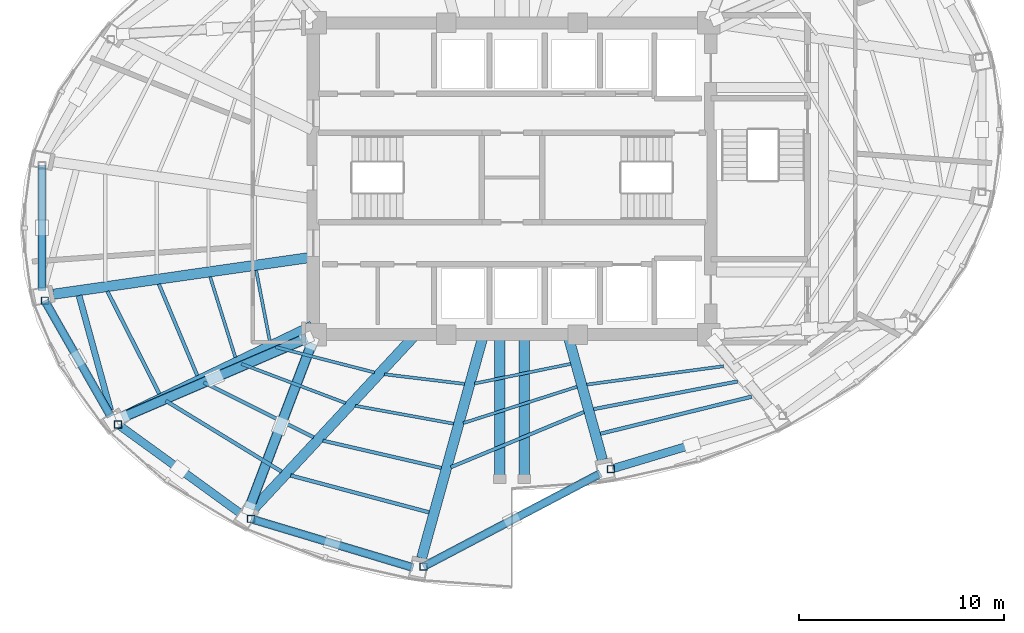
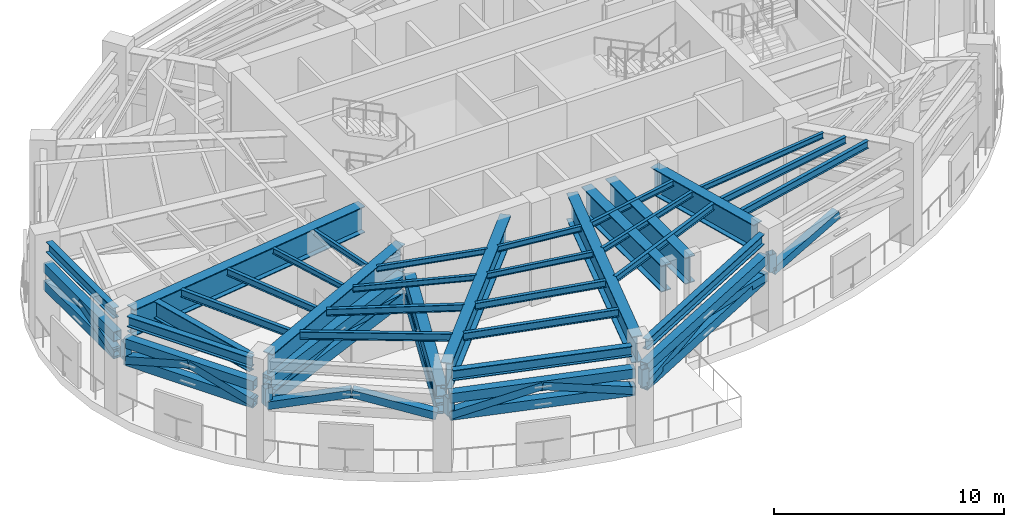
# One storey, part 2 of 12: 31 members, 30 beams.
"""IFC4 building model written with IfcOpenShell, lengths in metres."""

from ifc_helpers import new_model, si_unit, direction, frame, origin, origin_2d, place, context, subcontext, project, spatial, hollow_rectangle, i_section, extrude, material, material_profile, profile_set, type_object, element, save


model = new_model("IFC4")

# Units and contexts
model_context = context("Model", 3, precision=1e-05, world=origin(), true_north=direction((0.0, 1.0)))
body_context = subcontext(model_context, "Body", "Model", "MODEL_VIEW")
ifc_project = project(units=[si_unit("LENGTHUNIT", "METRE"), si_unit("AREAUNIT", "SQUARE_METRE"), si_unit("VOLUMEUNIT", "CUBIC_METRE"), si_unit("PLANEANGLEUNIT", "RADIAN"), si_unit("MASSUNIT", "GRAM", prefix="KILO")], contexts=[model_context])

# Site, building, storey
site_placement = place(None, origin())
site = spatial("IfcSite", under=ifc_project, at=site_placement, CompositionType="ELEMENT")
building_placement = place(site_placement, origin())
building = spatial("IfcBuilding", under=site, at=building_placement, Name="Lazwardi Medical Tower", CompositionType="ELEMENT")
storey_placement = place(building_placement, frame((0.0, 0.0, 189.360107421875)))
storey = spatial("IfcBuildingStorey", under=building, at=storey_placement, Name="L49", CompositionType="ELEMENT", Elevation=189.360107421875)

# Beams
ifc_material_1 = material(Name="Steel S460", Category="steel")
ifc_material_profile_1 = material_profile(ifc_material_1, i_section(OverallWidth=0.300048828125, OverallDepth=0.89990234375, WebThickness=0.0185546875, FlangeThickness=0.034912109375, at=origin_2d()), Name="HEB 900")
ifc_profile_set_1 = profile_set([ifc_material_profile_1], Name="Steel S460")
beam_type_1 = type_object("IfcBeamType", Name="BM-HB-01", PredefinedType="BEAM", material=ifc_profile_set_1)
beam_1_placement = place(storey_placement, frame((14.8798828125, 22.30078125, 4.57177734375), z_axis=(0.264908898888, -0.964273444252, 0.0), x_axis=(0.964273444252, 0.264908898888, 0.0)))
element("IfcBeam", 1, at=beam_1_placement, inside=storey, type_object=beam_type_1, Name="Transfer girder tie HB-01 M13 L49", PredefinedType="BEAM", context=body_context, shape_type="SweptSolid", body=[
    extrude(i_section(OverallWidth=0.300048828125, OverallDepth=0.89990234375, WebThickness=0.0185546875, FlangeThickness=0.034912109375, at=origin_2d()), origin(), (0.0, 0.0, 1.0), 5.798828125),
])
ifc_material_2 = material(Name="Steel S355", Category="steel")
ifc_material_profile_2 = material_profile(ifc_material_2, i_section(OverallWidth=0.300048828125, OverallDepth=0.550048828125, WebThickness=0.014892578125, FlangeThickness=0.029052734375, at=origin_2d()), Name="HEB 550")
ifc_profile_set_2 = profile_set([ifc_material_profile_2], Name="Steel S355")
beam_type_2 = type_object("IfcBeamType", Name="BM-RB-Z3", PredefinedType="BEAM", material=ifc_profile_set_2)
beam_2_placement = place(storey_placement, frame((13.07421875, 28.51171875, 4.746826171875), z_axis=(0.0, -1.0, 0.0), x_axis=(1.0, 0.0, 0.0)))
element("IfcBeam", 2, at=beam_2_placement, inside=storey, type_object=beam_type_2, Name="Ring beam RB-04 B12 L49", PredefinedType="BEAM", context=body_context, shape_type="SweptSolid", body=[
    extrude(i_section(OverallWidth=0.300048828125, OverallDepth=0.550048828125, WebThickness=0.014892578125, FlangeThickness=0.029052734375, at=origin_2d()), origin(), (0.0, 0.0, 1.0), 5.823486328125),
])
beam_3_placement = place(storey_placement, frame((13.272216796875, 21.94091796875, 4.746826171875), z_axis=(0.495460926326, -0.868630226554, 0.0), x_axis=(0.868630226554, 0.495460926326, 0.0)))
element("IfcBeam", 3, at=beam_3_placement, inside=storey, type_object=beam_type_2, Name="Ring beam RB-04 B13 L49", PredefinedType="BEAM", context=body_context, shape_type="SweptSolid", body=[
    extrude(i_section(OverallWidth=0.300048828125, OverallDepth=0.550048828125, WebThickness=0.014892578125, FlangeThickness=0.029052734375, at=origin_2d()), origin(), (0.0, 0.0, 1.0), 6.24462890625),
])
beam_4_placement = place(storey_placement, frame((23.396484375, 11.37060546875, 4.746826171875), z_axis=(0.957616873483, -0.288045002771, 0.0), x_axis=(0.288045002771, 0.957616873483, 0.0)))
element("IfcBeam", 4, at=beam_4_placement, inside=storey, type_object=beam_type_2, Name="Ring beam RB-04 B15 L49", PredefinedType="BEAM", context=body_context, shape_type="SweptSolid", body=[
    extrude(i_section(OverallWidth=0.300048828125, OverallDepth=0.550048828125, WebThickness=0.014892578125, FlangeThickness=0.029052734375, at=origin_2d()), origin(), (0.0, 0.0, 1.0), 7.99951171875),
])
beam_5_placement = place(storey_placement, frame((31.793701171875, 9.137451171875, 4.746826171875), z_axis=(0.884926578414, 0.465730556026, 0.0), x_axis=(-0.465730556026, 0.884926578414, 0.0)))
element("IfcBeam", 5, at=beam_5_placement, inside=storey, type_object=beam_type_2, Name="Ring beam RB-04 B16 L49", PredefinedType="BEAM", context=body_context, shape_type="SweptSolid", body=[
    extrude(i_section(OverallWidth=0.300048828125, OverallDepth=0.550048828125, WebThickness=0.014892578125, FlangeThickness=0.029052734375, at=origin_2d()), origin(), (0.0, 0.0, 1.0), 9.506591796875),
])
ifc_material_profile_3 = material_profile(ifc_material_2, i_section(OverallWidth=0.179931640625, OverallDepth=0.39990234375, WebThickness=0.008544921875, FlangeThickness=0.013427734375, at=origin_2d()), Name="IPE 400")
ifc_profile_set_3 = profile_set([ifc_material_profile_3], Name="Steel S355")
beam_type_3 = type_object("IfcBeamType", Name="BM-SJ-01", PredefinedType="JOIST", material=ifc_profile_set_3)
beam_6_placement = place(storey_placement, frame((40.313232421875, 15.56103515625, 4.82177734375), z_axis=(0.971251959151, 0.238053842325, 0.0), x_axis=(-0.238053842325, 0.971251959151, 0.0)))
element("IfcBeam", 6, at=beam_6_placement, inside=storey, type_object=beam_type_3, Name="Secondary joist SJ-01 R1 B01 L49", PredefinedType="JOIST", context=body_context, shape_type="SweptSolid", body=[
    extrude(i_section(OverallWidth=0.179931640625, OverallDepth=0.39990234375, WebThickness=0.008544921875, FlangeThickness=0.013427734375, at=origin_2d()), origin(), (0.0, 0.0, 1.0), 7.59228515625),
])
beam_7_placement = place(storey_placement, frame((16.263427734375, 22.509765625, 4.82177734375), z_axis=(0.451808992134, -0.892114698134, 0.0), x_axis=(0.892114698134, 0.451808992134, 0.0)))
element("IfcBeam", 7, at=beam_7_placement, inside=storey, type_object=beam_type_3, Name="Secondary joist SJ-01 R1 B13 L49", PredefinedType="JOIST", context=body_context, shape_type="SweptSolid", body=[
    extrude(i_section(OverallWidth=0.179931640625, OverallDepth=0.39990234375, WebThickness=0.008544921875, FlangeThickness=0.013427734375, at=origin_2d()), origin(), (0.0, 0.0, 1.0), 5.60302734375),
])
beam_8_placement = place(storey_placement, frame((19.114501953125, 17.164794921875, 4.82177734375), z_axis=(0.853204282471, -0.521576890184, 0.0), x_axis=(0.521576890184, 0.853204282471, 0.0)))
element("IfcBeam", 8, at=beam_8_placement, inside=storey, type_object=beam_type_3, Name="Secondary joist SJ-01 R1 B14 L49", PredefinedType="JOIST", context=body_context, shape_type="SweptSolid", body=[
    extrude(i_section(OverallWidth=0.179931640625, OverallDepth=0.39990234375, WebThickness=0.008544921875, FlangeThickness=0.013427734375, at=origin_2d()), origin(), (0.0, 0.0, 1.0), 6.615478515625),
])
beam_9_placement = place(storey_placement, frame((25.20458984375, 13.523681640625, 4.82177734375), z_axis=(0.966302206326, -0.257410267956, 0.0), x_axis=(0.257410267956, 0.966302206326, 0.0)))
element("IfcBeam", 9, at=beam_9_placement, inside=storey, type_object=beam_type_3, Name="Secondary joist SJ-01 R1 B15 L49", PredefinedType="JOIST", context=body_context, shape_type="SweptSolid", body=[
    extrude(i_section(OverallWidth=0.179931640625, OverallDepth=0.39990234375, WebThickness=0.008544921875, FlangeThickness=0.013427734375, at=origin_2d()), origin(), (0.0, 0.0, 1.0), 6.984375),
])
ifc_material_profile_4 = material_profile(ifc_material_2, i_section(OverallWidth=0.169921875, OverallDepth=0.360107421875, WebThickness=0.008056640625, FlangeThickness=0.0126953125, at=origin_2d()), Name="IPE 360")
ifc_profile_set_4 = profile_set([ifc_material_profile_4], Name="Steel S355")
beam_type_4 = type_object("IfcBeamType", Name="BM-SJ-02", PredefinedType="JOIST", material=ifc_profile_set_4)
beam_10_placement = place(storey_placement, frame((39.98046875, 16.7607421875, 4.841796875), z_axis=(0.98201837426, 0.188785361233, 0.0), x_axis=(-0.188785361233, 0.98201837426, 0.0)))
element("IfcBeam", 10, at=beam_10_placement, inside=storey, type_object=beam_type_4, Name="Secondary joist SJ-02 R2 B01 L49", PredefinedType="JOIST", context=body_context, shape_type="SweptSolid", body=[
    extrude(i_section(OverallWidth=0.169921875, OverallDepth=0.360107421875, WebThickness=0.008056640625, FlangeThickness=0.0126953125, at=origin_2d()), origin(), (0.0, 0.0, 1.0), 7.15283203125),
])
beam_11_placement = place(storey_placement, frame((18.77197265625, 22.863037109375, 4.841796875), z_axis=(0.387256490624, -0.921972022607, 0.0), x_axis=(0.921972022607, 0.387256490624, 0.0)))
element("IfcBeam", 11, at=beam_11_placement, inside=storey, type_object=beam_type_4, Name="Secondary joist SJ-02 R2 B13 L49", PredefinedType="JOIST", context=body_context, shape_type="SweptSolid", body=[
    extrude(i_section(OverallWidth=0.169921875, OverallDepth=0.360107421875, WebThickness=0.008056640625, FlangeThickness=0.0126953125, at=origin_2d()), origin(), (0.0, 0.0, 1.0), 4.841064453125),
])
beam_12_placement = place(storey_placement, frame((20.960693359375, 18.064453125, 4.841796875), z_axis=(0.894630803027, -0.446806139478, 0.0), x_axis=(0.446806139478, 0.894630803027, 0.0)))
element("IfcBeam", 12, at=beam_12_placement, inside=storey, type_object=beam_type_4, Name="Secondary joist SJ-02 R2 B14 L49", PredefinedType="JOIST", context=body_context, shape_type="SweptSolid", body=[
    extrude(i_section(OverallWidth=0.169921875, OverallDepth=0.360107421875, WebThickness=0.008056640625, FlangeThickness=0.0126953125, at=origin_2d()), origin(), (0.0, 0.0, 1.0), 5.992431640625),
])
beam_13_placement = place(storey_placement, frame((26.779541015625, 15.222412109375, 4.841796875), z_axis=(0.974375221178, -0.224928718387, 0.0), x_axis=(0.224928718387, 0.974375221178, 0.0)))
element("IfcBeam", 13, at=beam_13_placement, inside=storey, type_object=beam_type_4, Name="Secondary joist SJ-02 R2 B15 L49", PredefinedType="JOIST", context=body_context, shape_type="SweptSolid", body=[
    extrude(i_section(OverallWidth=0.169921875, OverallDepth=0.360107421875, WebThickness=0.008056640625, FlangeThickness=0.0126953125, at=origin_2d()), origin(), (0.0, 0.0, 1.0), 5.92529296875),
])
beam_14_placement = place(storey_placement, frame((33.01806640625, 13.928466796875, 4.841796875), z_axis=(0.923795439978, 0.382886386643, 0.0), x_axis=(-0.382886386643, 0.923795439978, 0.0)))
element("IfcBeam", 14, at=beam_14_placement, inside=storey, type_object=beam_type_4, Name="Secondary joist SJ-02 R2 B16 L49", PredefinedType="JOIST", context=body_context, shape_type="SweptSolid", body=[
    extrude(i_section(OverallWidth=0.169921875, OverallDepth=0.360107421875, WebThickness=0.008056640625, FlangeThickness=0.0126953125, at=origin_2d()), origin(), (0.0, 0.0, 1.0), 7.03125),
])
ifc_material_profile_5 = material_profile(ifc_material_2, i_section(OverallWidth=0.14990234375, OverallDepth=0.300048828125, WebThickness=0.007080078125, FlangeThickness=0.0107421875, at=origin_2d()), Name="IPE 300")
ifc_profile_set_5 = profile_set([ifc_material_profile_5], Name="Steel S355")
beam_type_5 = type_object("IfcBeamType", Name="BM-SJ-03", PredefinedType="JOIST", material=ifc_profile_set_5)
beam_15_placement = place(storey_placement, frame((39.647216796875, 17.958984375, 4.871826171875), z_axis=(0.991097306828, 0.133139507277, 0.0), x_axis=(-0.133139507277, 0.991097306828, 0.0)))
element("IfcBeam", 15, at=beam_15_placement, inside=storey, type_object=beam_type_5, Name="Secondary joist SJ-03 R3 B01 L49", PredefinedType="JOIST", context=body_context, shape_type="SweptSolid", body=[
    extrude(i_section(OverallWidth=0.14990234375, OverallDepth=0.300048828125, WebThickness=0.007080078125, FlangeThickness=0.0107421875, at=origin_2d()), origin(), (0.0, 0.0, 1.0), 6.7353515625),
])
beam_16_placement = place(storey_placement, frame((21.274658203125, 23.216064453125, 4.871826171875), z_axis=(0.298822173671, -0.954308811927, 0.0), x_axis=(0.954308811927, 0.298822173671, 0.0)))
element("IfcBeam", 16, at=beam_16_placement, inside=storey, type_object=beam_type_5, Name="Secondary joist SJ-03 R3 B13 L49", PredefinedType="JOIST", context=body_context, shape_type="SweptSolid", body=[
    extrude(i_section(OverallWidth=0.14990234375, OverallDepth=0.300048828125, WebThickness=0.007080078125, FlangeThickness=0.0107421875, at=origin_2d()), origin(), (0.0, 0.0, 1.0), 4.115234375),
])
beam_17_placement = place(storey_placement, frame((22.806884765625, 18.968505859375, 4.871826171875), z_axis=(0.93573988947, -0.352690883429, 0.0), x_axis=(0.352690883429, 0.93573988947, 0.0)))
element("IfcBeam", 17, at=beam_17_placement, inside=storey, type_object=beam_type_5, Name="Secondary joist SJ-03 R3 B14 L49", PredefinedType="JOIST", context=body_context, shape_type="SweptSolid", body=[
    extrude(i_section(OverallWidth=0.14990234375, OverallDepth=0.300048828125, WebThickness=0.007080078125, FlangeThickness=0.0107421875, at=origin_2d()), origin(), (0.0, 0.0, 1.0), 5.42626953125),
])
beam_18_placement = place(storey_placement, frame((28.35498046875, 16.92431640625, 4.871826171875), z_axis=(0.98380254454, -0.179255553209, 0.0), x_axis=(0.179255553209, 0.98380254454, 0.0)))
element("IfcBeam", 18, at=beam_18_placement, inside=storey, type_object=beam_type_5, Name="Secondary joist SJ-03 R3 B15 L49", PredefinedType="JOIST", context=body_context, shape_type="SweptSolid", body=[
    extrude(i_section(OverallWidth=0.14990234375, OverallDepth=0.300048828125, WebThickness=0.007080078125, FlangeThickness=0.0107421875, at=origin_2d()), origin(), (0.0, 0.0, 1.0), 4.875732421875),
])
beam_19_placement = place(storey_placement, frame((33.62646484375, 16.080810546875, 4.871826171875), z_axis=(0.952584735239, 0.304273433264, 0.0), x_axis=(-0.304273433264, 0.952584735239, 0.0)))
element("IfcBeam", 19, at=beam_19_placement, inside=storey, type_object=beam_type_5, Name="Secondary joist SJ-03 R3 B16 L49", PredefinedType="JOIST", context=body_context, shape_type="SweptSolid", body=[
    extrude(i_section(OverallWidth=0.14990234375, OverallDepth=0.300048828125, WebThickness=0.007080078125, FlangeThickness=0.0107421875, at=origin_2d()), origin(), (0.0, 0.0, 1.0), 5.8203125),
])
beam_20_placement = place(storey_placement, frame((23.519775390625, 23.533935546875, 4.871826171875), z_axis=(0.189260296962, -0.981926952473, 0.0), x_axis=(0.981926952473, 0.189260296962, 0.0)))
element("IfcBeam", 20, at=beam_20_placement, inside=storey, type_object=beam_type_5, Name="Secondary joist SJ-03 R4 B13 L49", PredefinedType="JOIST", context=body_context, shape_type="SweptSolid", body=[
    extrude(i_section(OverallWidth=0.14990234375, OverallDepth=0.300048828125, WebThickness=0.007080078125, FlangeThickness=0.0107421875, at=origin_2d()), origin(), (0.0, 0.0, 1.0), 3.5087890625),
])
beam_21_placement = place(storey_placement, frame((24.467529296875, 19.787353515625, 4.871826171875), z_axis=(0.968689564202, -0.248275105894, 0.0), x_axis=(0.248275105894, 0.968689564202, 0.0)))
element("IfcBeam", 21, at=beam_21_placement, inside=storey, type_object=beam_type_5, Name="Secondary joist SJ-03 R4 B14 L49", PredefinedType="JOIST", context=body_context, shape_type="SweptSolid", body=[
    extrude(i_section(OverallWidth=0.14990234375, OverallDepth=0.300048828125, WebThickness=0.007080078125, FlangeThickness=0.0107421875, at=origin_2d()), origin(), (0.0, 0.0, 1.0), 4.980712890625),
])
beam_22_placement = place(storey_placement, frame((29.772705078125, 18.4609375, 4.871826171875), z_axis=(0.992861315187, -0.119274510292, 0.0), x_axis=(0.119274510292, 0.992861315187, 0.0)))
element("IfcBeam", 22, at=beam_22_placement, inside=storey, type_object=beam_type_5, Name="Secondary joist SJ-03 R4 B15 L49", PredefinedType="JOIST", context=body_context, shape_type="SweptSolid", body=[
    extrude(i_section(OverallWidth=0.14990234375, OverallDepth=0.300048828125, WebThickness=0.007080078125, FlangeThickness=0.0107421875, at=origin_2d()), origin(), (0.0, 0.0, 1.0), 3.9462890625),
])
beam_23_placement = place(storey_placement, frame((34.17431640625, 18.010009765625, 4.871826171875), z_axis=(0.979751798264, 0.200215917945, 0.0), x_axis=(-0.200215917945, 0.979751798264, 0.0)))
element("IfcBeam", 23, at=beam_23_placement, inside=storey, type_object=beam_type_5, Name="Secondary joist SJ-03 R4 B16 L49", PredefinedType="JOIST", context=body_context, shape_type="SweptSolid", body=[
    extrude(i_section(OverallWidth=0.14990234375, OverallDepth=0.300048828125, WebThickness=0.007080078125, FlangeThickness=0.0107421875, at=origin_2d()), origin(), (0.0, 0.0, 1.0), 4.784912109375),
])
ifc_material_profile_6 = material_profile(ifc_material_1, i_section(OverallWidth=0.5, OverallDepth=1.39990234375, WebThickness=0.028076171875, FlangeThickness=0.044921875, at=origin_2d()), Name="PG 1400x500")
ifc_profile_set_6 = profile_set([ifc_material_profile_6], Name="Steel S460")
beam_type_6 = type_object("IfcBeamType", Name="BM-TG-01", PredefinedType="BEAM", material=ifc_profile_set_6)
for number, where, z_axis, x_axis, name in (
    (24, (35.39990234375, 13.56005859375, 4.32177734375), (0.0, 1.0, 0.0), (-1.0, 0.0, 0.0), "Transfer girder TG-01 PL3 L49"),
    (25, (36.60009765625, 13.56005859375, 4.32177734375), (0.0, 1.0, 0.0), (-1.0, 0.0, 0.0), "Transfer girder TG-01 PL4 L49"),
):
    element("IfcBeam", number, at=place(storey_placement, frame(where, z_axis=z_axis, x_axis=x_axis)), inside=storey, type_object=beam_type_6, Name=name, PredefinedType="BEAM", context=body_context, shape_type="SweptSolid", body=[
        extrude(i_section(OverallWidth=0.5, OverallDepth=1.39990234375, WebThickness=0.028076171875, FlangeThickness=0.044921875, at=origin_2d()), origin(), (0.0, 0.0, 1.0), 6.93994140625),
    ])
beam_24_placement = place(storey_placement, frame((40.410888671875, 14.291015625, 4.32177734375), z_axis=(-0.266818601301, 0.963746768607, 0.0), x_axis=(-0.963746768607, -0.266818601301, 0.0)))
element("IfcBeam", 26, at=beam_24_placement, inside=storey, type_object=beam_type_6, Name="Transfer girder TG-01 M01 L49", PredefinedType="BEAM", context=body_context, shape_type="SweptSolid", body=[
    extrude(i_section(OverallWidth=0.5, OverallDepth=1.39990234375, WebThickness=0.028076171875, FlangeThickness=0.044921875, at=origin_2d()), origin(), (0.0, 0.0, 1.0), 6.287109375),
])
beam_25_placement = place(storey_placement, frame((13.62841796875, 22.367431640625, 4.32177734375), z_axis=(0.989939917135, 0.141488375715, 0.0), x_axis=(-0.141488375715, 0.989939917135, 0.0)))
element("IfcBeam", 27, at=beam_25_placement, inside=storey, type_object=beam_type_6, Name="Transfer girder TG-01 M13 L49", PredefinedType="BEAM", context=body_context, shape_type="SweptSolid", body=[
    extrude(i_section(OverallWidth=0.5, OverallDepth=1.39990234375, WebThickness=0.028076171875, FlangeThickness=0.044921875, at=origin_2d()), origin(), (0.0, 0.0, 1.0), 12.749755859375),
])
beam_26_placement = place(storey_placement, frame((17.0693359375, 16.41162109375, 4.32177734375), z_axis=(0.901559718367, 0.432654682418, 0.0), x_axis=(-0.432654682418, 0.901559718367, 0.0)))
element("IfcBeam", 28, at=beam_26_placement, inside=storey, type_object=beam_type_6, Name="Transfer girder TG-01 M14 L49", PredefinedType="BEAM", context=body_context, shape_type="SweptSolid", body=[
    extrude(i_section(OverallWidth=0.5, OverallDepth=1.39990234375, WebThickness=0.028076171875, FlangeThickness=0.044921875, at=origin_2d()), origin(), (0.0, 0.0, 1.0), 10.18310546875),
])
beam_27_placement = place(storey_placement, frame((23.39501953125, 11.895751953125, 4.32177734375), z_axis=(0.681115013744, 0.732176439155, 0.0), x_axis=(-0.732176439155, 0.681115013744, 0.0)))
element("IfcBeam", 29, at=beam_27_placement, inside=storey, type_object=beam_type_6, Name="Transfer girder TG-01 M15 L49", PredefinedType="BEAM", context=body_context, shape_type="SweptSolid", body=[
    extrude(i_section(OverallWidth=0.5, OverallDepth=1.39990234375, WebThickness=0.028076171875, FlangeThickness=0.044921875, at=origin_2d()), origin(), (0.0, 0.0, 1.0), 11.546875),
])
beam_28_placement = place(storey_placement, frame((31.589111328125, 9.490966796875, 4.32177734375), z_axis=(0.266813446402, 0.963748195754, 0.0), x_axis=(-0.963748195754, 0.266813446402, 0.0)))
element("IfcBeam", 30, at=beam_28_placement, inside=storey, type_object=beam_type_6, Name="Transfer girder TG-01 M16 L49", PredefinedType="BEAM", context=body_context, shape_type="SweptSolid", body=[
    extrude(i_section(OverallWidth=0.5, OverallDepth=1.39990234375, WebThickness=0.028076171875, FlangeThickness=0.044921875, at=origin_2d()), origin(), (0.0, 0.0, 1.0), 11.267578125),
])

# Members
ifc_material_profile_7 = material_profile(ifc_material_1, hollow_rectangle(XDim=0.39990234375, YDim=0.5, WallThickness=0.02490234375, at=origin_2d()), Name="RHS 500x400x25")
ifc_profile_set_7 = profile_set([ifc_material_profile_7], Name="Steel S460")
member_type_1 = type_object("IfcMemberType", Name="MEM-BC-01", PredefinedType="CHORD", material=ifc_profile_set_7)
for number, where, z_axis, x_axis, name in (
    (31, (13.07421875, 28.6416015625, 2.679931640625), (0.0, -1.0, 0.0), (1.0, 0.0, 0.0), "Belt truss bottom chord BC-01 B12 L49"),
    (32, (13.07421875, 28.6416015625, 3.599853515625), (0.0, -1.0, 0.0), (1.0, 0.0, 0.0), "Belt truss top chord BC-01 B12 L49"),
):
    element("IfcMember", number, at=place(storey_placement, frame(where, z_axis=z_axis, x_axis=x_axis)), inside=storey, type_object=member_type_1, Name=name, PredefinedType="CHORD", context=body_context, shape_type="SweptSolid", body=[
        extrude(hollow_rectangle(XDim=0.39990234375, YDim=0.5, WallThickness=0.02490234375, at=origin_2d()), origin(), (0.0, 0.0, 1.0), 6.083251953125),
    ])
for number, where, z_axis, x_axis, name in (
    (33, (13.2080078125, 22.0537109375, 2.679931640625), (0.49545969499, -0.868630928899, 0.0), (0.868630928899, 0.49545969499, 0.0), "Belt truss bottom chord BC-01 B13 L49"),
    (34, (13.2080078125, 22.0537109375, 3.599853515625), (0.49545969499, -0.868630928899, 0.0), (0.868630928899, 0.49545969499, 0.0), "Belt truss top chord BC-01 B13 L49"),
):
    element("IfcMember", number, at=place(storey_placement, frame(where, z_axis=z_axis, x_axis=x_axis)), inside=storey, type_object=member_type_1, Name=name, PredefinedType="CHORD", context=body_context, shape_type="SweptSolid", body=[
        extrude(hollow_rectangle(XDim=0.39990234375, YDim=0.5, WallThickness=0.02490234375, at=origin_2d()), origin(), (0.0, 0.0, 1.0), 6.50439453125),
    ])
for number, where, z_axis, x_axis, name in (
    (35, (23.272216796875, 11.407958984375, 2.679931640625), (0.957618568335, -0.288039368108, 0.0), (0.288039368108, 0.957618568335, 0.0), "Belt truss bottom chord BC-01 B15 L49"),
    (36, (23.272216796875, 11.407958984375, 3.599853515625), (0.957618568335, -0.288039368108, 0.0), (0.288039368108, 0.957618568335, 0.0), "Belt truss top chord BC-01 B15 L49"),
):
    element("IfcMember", number, at=place(storey_placement, frame(where, z_axis=z_axis, x_axis=x_axis)), inside=storey, type_object=member_type_1, Name=name, PredefinedType="CHORD", context=body_context, shape_type="SweptSolid", body=[
        extrude(hollow_rectangle(XDim=0.39990234375, YDim=0.5, WallThickness=0.02490234375, at=origin_2d()), origin(), (0.0, 0.0, 1.0), 8.259033203125),
    ])
for number, where, z_axis, x_axis, name in (
    (37, (31.6787109375, 9.076904296875, 2.679931640625), (0.884924187091, 0.465735099709, 0.0), (-0.465735099709, 0.884924187091, 0.0), "Belt truss bottom chord BC-01 B16 L49"),
    (38, (31.6787109375, 9.076904296875, 3.599853515625), (0.884924187091, 0.465735099709, 0.0), (-0.465735099709, 0.884924187091, 0.0), "Belt truss top chord BC-01 B16 L49"),
):
    element("IfcMember", number, at=place(storey_placement, frame(where, z_axis=z_axis, x_axis=x_axis)), inside=storey, type_object=member_type_1, Name=name, PredefinedType="CHORD", context=body_context, shape_type="SweptSolid", body=[
        extrude(hollow_rectangle(XDim=0.39990234375, YDim=0.5, WallThickness=0.02490234375, at=origin_2d()), origin(), (0.0, 0.0, 1.0), 9.766357421875),
    ])
ifc_material_profile_8 = material_profile(ifc_material_1, hollow_rectangle(XDim=0.39990234375, YDim=0.39990234375, WallThickness=0.02001953125, at=origin_2d()), Name="RHS 400x400x20")
ifc_profile_set_8 = profile_set([ifc_material_profile_8], Name="Steel S460")
member_type_2 = type_object("IfcMemberType", Name="MEM-BD-01", PredefinedType="BRACE", material=ifc_profile_set_8)
member_1_placement = place(storey_placement, frame((40.81884765625, 13.8291015625, 2.679931640625), z_axis=(0.934710072733, 0.281140108307, 0.217433482779), x_axis=(-0.288031214548, 0.957621020783, 0.0)))
element("IfcMember", 39, at=member_1_placement, inside=storey, type_object=member_type_2, Name="Belt truss diagonal BD-01 B01A L49", PredefinedType="BRACE", context=body_context, shape_type="SweptSolid", body=[
    extrude(hollow_rectangle(XDim=0.39990234375, YDim=0.39990234375, WallThickness=0.02001953125, at=origin_2d()), origin(), (0.0, 0.0, 1.0), 4.230712890625),
])
member_2_placement = place(storey_placement, frame((13.07421875, 22.558349609375, 2.679931640625), z_axis=(0.0, 0.957183212371, 0.289482811158), x_axis=(-1.0, 0.0, 0.0)))
element("IfcMember", 40, at=member_2_placement, inside=storey, type_object=member_type_2, Name="Belt truss diagonal BD-01 B12B L49", PredefinedType="BRACE", context=body_context, shape_type="SweptSolid", body=[
    extrude(hollow_rectangle(XDim=0.39990234375, YDim=0.39990234375, WallThickness=0.02001953125, at=origin_2d()), origin(), (0.0, 0.0, 1.0), 3.177734375),
])
for number, where, z_axis, x_axis, name in (
    (41, (13.2080078125, 22.0537109375, 2.679931640625), (0.476753850073, -0.835836181696, 0.272183107133), (0.868630928899, 0.49545969499, 0.0), "Belt truss diagonal BD-01 B13A L49"),
    (42, (16.4306640625, 16.40380859375, 2.679931640625), (-0.476753850073, 0.835836181696, 0.272183107133), (-0.868630928899, -0.49545969499, 0.0), "Belt truss diagonal BD-01 B13B L49"),
):
    element("IfcMember", number, at=place(storey_placement, frame(where, z_axis=z_axis, x_axis=x_axis)), inside=storey, type_object=member_type_2, Name=name, PredefinedType="BRACE", context=body_context, shape_type="SweptSolid", body=[
        extrude(hollow_rectangle(XDim=0.39990234375, YDim=0.39990234375, WallThickness=0.02001953125, at=origin_2d()), origin(), (0.0, 0.0, 1.0), 3.3798828125),
    ])
for number, where, z_axis, x_axis, name in (
    (43, (16.782958984375, 16.010498046875, 2.679931640625), (0.785395561242, -0.570419680688, 0.240364723421), (0.587647963925, 0.809116722417, 0.0), "Belt truss diagonal BD-01 B14A L49"),
    (44, (22.794921875, 11.64453125, 2.679931640625), (-0.785448577902, 0.570348065867, 0.24036142626), (-0.587573691921, -0.809170659727, 0.0), "Belt truss diagonal BD-01 B14B L49"),
):
    element("IfcMember", number, at=place(storey_placement, frame(where, z_axis=z_axis, x_axis=x_axis)), inside=storey, type_object=member_type_2, Name=name, PredefinedType="BRACE", context=body_context, shape_type="SweptSolid", body=[
        extrude(hollow_rectangle(XDim=0.39990234375, YDim=0.39990234375, WallThickness=0.02001953125, at=origin_2d()), origin(), (0.0, 0.0, 1.0), 3.8271484375),
    ])
for number, where, z_axis, x_axis, name in (
    (45, (23.272216796875, 11.407958984375, 2.679931640625), (0.934702782981, -0.281155273117, 0.217445211229), (0.288047522108, 0.957616115679, 0.0), "Belt truss diagonal BD-01 B15A L49"),
    (46, (31.18115234375, 9.029052734375, 2.679931640625), (-0.934710072733, 0.281140108307, 0.217433482779), (-0.288031214548, -0.957621020783, 0.0), "Belt truss diagonal BD-01 B15B L49"),
):
    element("IfcMember", number, at=place(storey_placement, frame(where, z_axis=z_axis, x_axis=x_axis)), inside=storey, type_object=member_type_2, Name=name, PredefinedType="BRACE", context=body_context, shape_type="SweptSolid", body=[
        extrude(hollow_rectangle(XDim=0.39990234375, YDim=0.39990234375, WallThickness=0.02001953125, at=origin_2d()), origin(), (0.0, 0.0, 1.0), 4.230712890625),
    ])
member_3_placement = place(storey_placement, frame((31.6787109375, 9.076904296875, 2.679931640625), z_axis=(0.869618052898, 0.457704055412, 0.185125470244), x_axis=(-0.46575467496, 0.884913884371, 0.0)))
element("IfcMember", 47, at=member_3_placement, inside=storey, type_object=member_type_2, Name="Belt truss diagonal BD-01 B16A L49", PredefinedType="BRACE", context=body_context, shape_type="SweptSolid", body=[
    extrude(hollow_rectangle(XDim=0.39990234375, YDim=0.39990234375, WallThickness=0.02001953125, at=origin_2d()), origin(), (0.0, 0.0, 1.0), 4.96923828125),
])
member_4_placement = place(storey_placement, frame((40.3212890625, 13.62548828125, 2.679931640625), z_axis=(-0.869637607993, -0.457665215732, 0.185129633159), x_axis=(0.465715523774, -0.884934489618, 0.0)))
element("IfcMember", 48, at=member_4_placement, inside=storey, type_object=member_type_2, Name="Belt truss diagonal BD-01 B16B L49", PredefinedType="BRACE", context=body_context, shape_type="SweptSolid", body=[
    extrude(hollow_rectangle(XDim=0.39990234375, YDim=0.39990234375, WallThickness=0.02001953125, at=origin_2d()), origin(), (0.0, 0.0, 1.0), 4.968994140625),
])
ifc_material_profile_9 = material_profile(ifc_material_2, hollow_rectangle(XDim=0.35009765625, YDim=0.35009765625, WallThickness=0.01611328125, at=origin_2d()), Name="RHS 350x350x16")
ifc_profile_set_9 = profile_set([ifc_material_profile_9], Name="Steel S355")
member_type_3 = type_object("IfcMemberType", Name="MEM-BV-01", PredefinedType="POST", material=ifc_profile_set_9)
for number, where, z_axis, x_axis, name in (
    (49, (40.81884765625, 13.8291015625, 2.679931640625), (0.0, 0.0, 1.0), (1.0, 0.0, 0.0), "Belt truss post BV-01 B01 L49"),
    (50, (13.2080078125, 22.0537109375, 2.679931640625), (0.0, 0.0, 1.0), (1.0, 0.0, 0.0), "Belt truss post BV-01 B13 L49"),
    (51, (16.782958984375, 16.010498046875, 2.679931640625), (0.0, 0.0, 1.0), (1.0, 0.0, 0.0), "Belt truss post BV-01 B14 L49"),
    (52, (23.272216796875, 11.407958984375, 2.679931640625), (0.0, 0.0, 1.0), (1.0, 0.0, 0.0), "Belt truss post BV-01 B15 L49"),
    (53, (31.6787109375, 9.076904296875, 2.679931640625), (0.0, 0.0, 1.0), (1.0, 0.0, 0.0), "Belt truss post BV-01 B16 L49"),
):
    element("IfcMember", number, at=place(storey_placement, frame(where, z_axis=z_axis, x_axis=x_axis)), inside=storey, type_object=member_type_3, Name=name, PredefinedType="POST", context=body_context, shape_type="SweptSolid", body=[
        extrude(hollow_rectangle(XDim=0.35009765625, YDim=0.35009765625, WallThickness=0.01611328125, at=origin_2d()), origin(), (0.0, 0.0, 1.0), 0.919921875),
    ])
ifc_material_profile_10 = material_profile(ifc_material_1, hollow_rectangle(XDim=0.5, YDim=0.60009765625, WallThickness=0.030029296875, at=origin_2d()), Name="RHS 600x500x30")
ifc_profile_set_10 = profile_set([ifc_material_profile_10], Name="Steel S460")
member_type_4 = type_object("IfcMemberType", Name="MEM-OC-01", PredefinedType="CHORD", material=ifc_profile_set_10)
for number, where, z_axis, x_axis, name in (
    (54, (25.986572265625, 20.22216796875, 2.679931640625), (-0.918622449443, -0.395136426289, 0.0), (0.395136426289, -0.918622449443, 0.0), "Outrigger truss bottom chord OC-01 OR1 L49"),
    (55, (25.986572265625, 20.22216796875, 3.599853515625), (-0.918622449443, -0.395136426289, 0.0), (0.395136426289, -0.918622449443, 0.0), "Outrigger truss top chord OC-01 OR1 L49"),
):
    element("IfcMember", number, at=place(storey_placement, frame(where, z_axis=z_axis, x_axis=x_axis)), inside=storey, type_object=member_type_4, Name=name, PredefinedType="CHORD", context=body_context, shape_type="SweptSolid", body=[
        extrude(hollow_rectangle(XDim=0.5, YDim=0.60009765625, WallThickness=0.030029296875, at=origin_2d()), origin(), (0.0, 0.0, 1.0), 9.8017578125),
    ])
for number, where, z_axis, x_axis, name in (
    (56, (26.240234375, 19.979248046875, 2.679931640625), (-0.355147066073, -0.934810441458, 0.0), (0.934810441458, -0.355147066073, 0.0), "Outrigger truss bottom chord OC-01 OR2 L49"),
    (57, (26.240234375, 19.979248046875, 3.599853515625), (-0.355147066073, -0.934810441458, 0.0), (0.934810441458, -0.355147066073, 0.0), "Outrigger truss top chord OC-01 OR2 L49"),
):
    element("IfcMember", number, at=place(storey_placement, frame(where, z_axis=z_axis, x_axis=x_axis)), inside=storey, type_object=member_type_4, Name=name, PredefinedType="CHORD", context=body_context, shape_type="SweptSolid", body=[
        extrude(hollow_rectangle(XDim=0.5, YDim=0.60009765625, WallThickness=0.030029296875, at=origin_2d()), origin(), (0.0, 0.0, 1.0), 8.630859375),
    ])
ifc_material_profile_11 = material_profile(ifc_material_1, hollow_rectangle(XDim=0.449951171875, YDim=0.449951171875, WallThickness=0.02197265625, at=origin_2d()), Name="RHS 450x450x22")
ifc_profile_set_11 = profile_set([ifc_material_profile_11], Name="Steel S460")
member_type_5 = type_object("IfcMemberType", Name="MEM-OD-01", PredefinedType="BRACE", material=ifc_profile_set_11)
member_5_placement = place(storey_placement, frame((25.986572265625, 20.22216796875, 2.679931640625), z_axis=(-0.902850429275, -0.388362776844, 0.184487007457), x_axis=(0.395145467519, -0.918618560394, 0.0)))
element("IfcMember", 58, at=member_5_placement, inside=storey, type_object=member_type_5, Name="Outrigger truss diagonal OD-01 OR1A L49", PredefinedType="BRACE", context=body_context, shape_type="SweptSolid", body=[
    extrude(hollow_rectangle(XDim=0.449951171875, YDim=0.449951171875, WallThickness=0.02197265625, at=origin_2d()), origin(), (0.0, 0.0, 1.0), 4.986328125),
])
member_6_placement = place(storey_placement, frame((16.982421875, 16.34912109375, 2.679931640625), z_axis=(0.902859479755, 0.388345609968, 0.184478852541), x_axis=(-0.395127385434, 0.918626338224, 0.0)))
element("IfcMember", 59, at=member_6_placement, inside=storey, type_object=member_type_5, Name="Outrigger truss diagonal OD-01 OR1B L49", PredefinedType="BRACE", context=body_context, shape_type="SweptSolid", body=[
    extrude(hollow_rectangle(XDim=0.449951171875, YDim=0.449951171875, WallThickness=0.02197265625, at=origin_2d()), origin(), (0.0, 0.0, 1.0), 4.986572265625),
])
member_7_placement = place(storey_placement, frame((26.240234375, 19.979248046875, 2.679931640625), z_axis=(-0.347327095847, -0.914272041529, 0.20849585744), x_axis=(0.934816264932, -0.355131737274, 0.0)))
element("IfcMember", 60, at=member_7_placement, inside=storey, type_object=member_type_5, Name="Outrigger truss diagonal OD-01 OR2A L49", PredefinedType="BRACE", context=body_context, shape_type="SweptSolid", body=[
    extrude(hollow_rectangle(XDim=0.449951171875, YDim=0.449951171875, WallThickness=0.02197265625, at=origin_2d()), origin(), (0.0, 0.0, 1.0), 4.412109375),
])
member_8_placement = place(storey_placement, frame((23.175048828125, 11.9111328125, 2.679931640625), z_axis=(0.347358180393, 0.914263550942, 0.208481303555), x_axis=(-0.934804618159, 0.355162393658, 0.0)))
element("IfcMember", 61, at=member_8_placement, inside=storey, type_object=member_type_5, Name="Outrigger truss diagonal OD-01 OR2B L49", PredefinedType="BRACE", context=body_context, shape_type="SweptSolid", body=[
    extrude(hollow_rectangle(XDim=0.449951171875, YDim=0.449951171875, WallThickness=0.02197265625, at=origin_2d()), origin(), (0.0, 0.0, 1.0), 4.41259765625),
])

save(model, "model.ifc")
